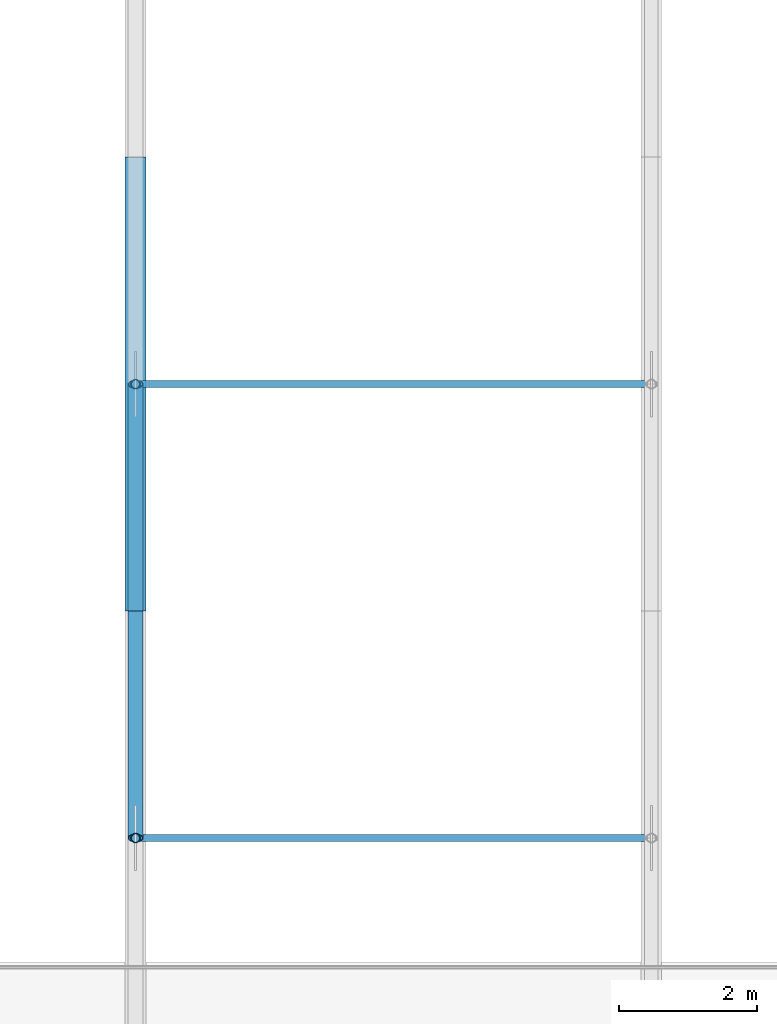
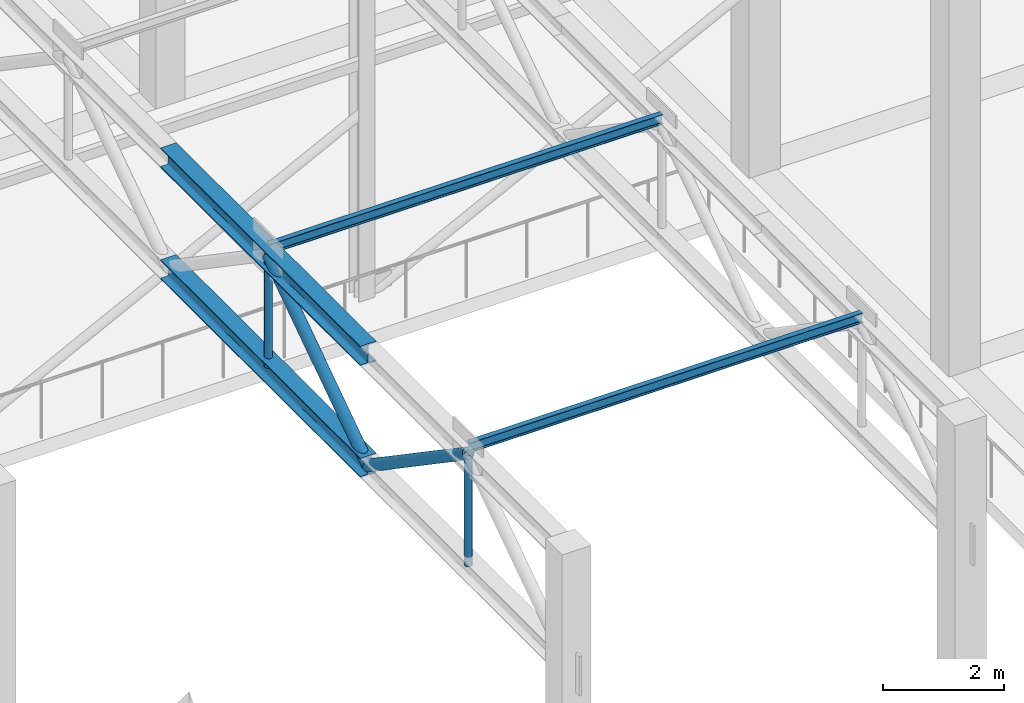
# One storey, part 30 of 80: 8 members.
"""IFC4 building model written with IfcOpenShell, lengths in metres."""

import ifcopenshell
import ifcopenshell.guid

model = None  # the IFC model being written
_history = None  # IfcOwnerHistory: only IFC2X3 demands one
_inside = {}  # id of a spatial element -> (the spatial element, [elements in it])
_under = {}  # id of a project, library or spatial element -> (it, [spatial elements below it])
_declared = {}  # id of a project -> (the project, [libraries it declares])
_typed = {}  # id of a type object -> (the type object, [elements of that type])
_made_of = {}  # id of a material, layer set ... -> (it, [elements and type objects made of it])


def new_model(schema):
    """Start an empty IFC model of exactly this schema.

    Asked for "IFC4X3", IfcOpenShell would pick the latest addendum, in which some entities
    have other attributes; the version numbers below select the first issue.
    IFC2X3 requires an IfcOwnerHistory on every rooted entity: one is made here for all.
    """
    global model, _history
    if schema == "IFC4X3":
        model = ifcopenshell.file(schema_version=(4, 3, 0, 0))
    else:
        model = ifcopenshell.file(schema=schema)
    _inside.clear()
    _under.clear()
    _declared.clear()
    _typed.clear()
    _made_of.clear()
    _history = None
    if model.schema == "IFC2X3":
        org = make("IfcOrganization", Name="unknown")
        user = make(
            "IfcPersonAndOrganization",
            ThePerson=make("IfcPerson", FamilyName="unknown"),
            TheOrganization=org,
        )
        app = make(
            "IfcApplication",
            ApplicationDeveloper=org,
            Version="unknown",
            ApplicationFullName="unknown",
            ApplicationIdentifier="unknown",
        )
        _history = make(
            "IfcOwnerHistory",
            OwningUser=user,
            OwningApplication=app,
            ChangeAction="ADDED",
            CreationDate=0,
        )
    return model


def make(cls, **values):
    """One entity of the class cls with the attributes given. An attribute that is None is left unset."""
    return model.create_entity(
        cls, **{name: value for name, value in values.items() if value is not None}
    )


def rooted(cls, **values):
    """An entity with a GlobalId (a new one), such as an element, a storey or a relation."""
    return make(cls, GlobalId=ifcopenshell.guid.new(), OwnerHistory=_history, **values)


def si_unit(unit_type, name, prefix=None):
    """IfcSIUnit, for example si_unit("LENGTHUNIT", "METRE", prefix="MILLI")."""
    return make("IfcSIUnit", UnitType=unit_type, Prefix=prefix, Name=name)


def assignment(units):
    """IfcUnitAssignment: the units of a project."""
    return None if units is None else make("IfcUnitAssignment", Units=units)


def point(xyz):
    """IfcCartesianPoint."""
    return None if xyz is None else make("IfcCartesianPoint", Coordinates=xyz)


def direction(xyz):
    """IfcDirection."""
    return None if xyz is None else make("IfcDirection", DirectionRatios=xyz)


def frame(location, z_axis=None, x_axis=None):
    """IfcAxis2Placement3D, a coordinate frame: its origin and axes. An axis left out is left unset."""
    return make(
        "IfcAxis2Placement3D",
        Location=point(location),
        Axis=direction(z_axis),
        RefDirection=direction(x_axis),
    )


def frame_2d(location, x_axis=None):
    """IfcAxis2Placement2D, a coordinate frame in the plane: its origin and x axis."""
    return make(
        "IfcAxis2Placement2D", Location=point(location), RefDirection=direction(x_axis)
    )


def origin():
    """The frame at (0, 0, 0) with its axes left unset."""
    return frame((0.0, 0.0, 0.0))


def origin_2d():
    """The frame at (0, 0) in the plane with its x axis left unset."""
    return frame_2d((0.0, 0.0))


def place(relative_to, where):
    """IfcLocalPlacement: puts the frame where relative to a parent placement (None: the world)."""
    return make(
        "IfcLocalPlacement", PlacementRelTo=relative_to, RelativePlacement=where
    )


def context(
    kind, dimensions, precision=None, world=None, true_north=None, identifier=None
):
    """IfcGeometricRepresentationContext, for example the 3D "Model" context."""
    return make(
        "IfcGeometricRepresentationContext",
        ContextIdentifier=identifier,
        ContextType=kind,
        CoordinateSpaceDimension=dimensions,
        Precision=precision,
        WorldCoordinateSystem=world,
        TrueNorth=true_north,
    )


def subcontext(parent, identifier, kind, view, scale=None):
    """IfcGeometricRepresentationSubContext, for example "Body" below "Model"."""
    return make(
        "IfcGeometricRepresentationSubContext",
        ContextIdentifier=identifier,
        ContextType=kind,
        ParentContext=parent,
        TargetScale=scale,
        TargetView=view,
    )


def project(units=None, contexts=None):
    """IfcProject with its units and contexts."""
    return rooted(
        "IfcProject",
        Name="project",
        RepresentationContexts=contexts,
        UnitsInContext=assignment(units),
    )


def spatial(cls, under=None, at=None, **own):
    """A site, building, storey or space (cls), placed at a placement, below another one or the project."""
    s = rooted(cls, ObjectPlacement=at, **own)
    if under is not None:
        _under.setdefault(under.id(), (under, []))[1].append(s)
    return s


def profile(cls, at=None, kind="AREA", **sizes):
    """A parametric profile (cls). Its sizes go by their IFC names, for example OverallWidth=200.0."""
    return make(cls, ProfileType=kind, Position=at, **sizes)


def hollow_circle(**sizes):
    """IfcCircleHollowProfileDef."""
    return profile("IfcCircleHollowProfileDef", **sizes)


def i_section(**sizes):
    """IfcIShapeProfileDef."""
    return profile("IfcIShapeProfileDef", **sizes)


def extrude(swept, where, along, depth):
    """IfcExtrudedAreaSolid: the profile swept, set in the frame where, extruded along a direction by depth."""
    return make(
        "IfcExtrudedAreaSolid",
        SweptArea=swept,
        Position=where,
        ExtrudedDirection=direction(along),
        Depth=depth,
    )


def shape(context_of_items, identifier, shape_type, items):
    """IfcShapeRepresentation: the items that make up one representation, for example the "Body"."""
    return make(
        "IfcShapeRepresentation",
        ContextOfItems=context_of_items,
        RepresentationIdentifier=identifier,
        RepresentationType=shape_type,
        Items=items,
    )


def material(Name=None, Category=None):
    """IfcMaterial."""
    return make("IfcMaterial", Name=Name, Category=Category)


def material_profile(
    of_material, cross_section, Name=None, Category=None, Priority=None
):
    """IfcMaterialProfile: a cross section and its material."""
    return make(
        "IfcMaterialProfile",
        Name=Name,
        Material=of_material,
        Profile=cross_section,
        Priority=Priority,
        Category=Category,
    )


def profile_set(profiles, Name=None, composite=None):
    """IfcMaterialProfileSet."""
    return make(
        "IfcMaterialProfileSet",
        Name=Name,
        MaterialProfiles=profiles,
        CompositeProfile=composite,
    )


def made_of(thing, what):
    """Note that an element or type object is made of a material, layer set ...; save() writes the relation."""
    if what is not None:
        _made_of.setdefault(what.id(), (what, []))[1].append(thing)
    return thing


def type_object(cls, material=None, **own):
    """A type object (cls), such as IfcWallType, which elements share."""
    return made_of(rooted(cls, **own), material)


def element(
    cls,
    number,
    at=None,
    inside=None,
    cuts=None,
    type_object=None,
    material=None,
    context=None,
    identifier="Body",
    shape_type=None,
    held_by="IfcProductDefinitionShape",
    body=None,
    shapes=None,
    **own,
):
    """One element of the class cls, such as IfcWall. Its Tag is "e" and its number.

    at: its placement. inside: the storey or other place that contains it. cuts: it is an
    opening in that element (IfcRelVoidsElement). A single representation is given by context,
    identifier, shape_type and body (its items); several are given by shapes. held_by: the class
    of the entity that holds the representations. save() writes the other relations.
    """
    e = rooted(cls, Tag="e%d" % number, ObjectPlacement=at, **own)
    if body is not None:
        shapes = [shape(context, identifier, shape_type, body)]
    if shapes is not None:
        e.Representation = make(held_by, Representations=shapes)
    if inside is not None:
        _inside.setdefault(inside.id(), (inside, []))[1].append(e)
    if cuts is not None:
        rooted(
            "IfcRelVoidsElement", RelatingBuildingElement=cuts, RelatedOpeningElement=e
        )
    if type_object is not None:
        _typed.setdefault(type_object.id(), (type_object, []))[1].append(e)
    return made_of(e, material)


def aggregate(whole, parts):
    """IfcRelAggregates: a whole, such as a stair, and the parts it consists of."""
    return rooted("IfcRelAggregates", RelatingObject=whole, RelatedObjects=parts)


def save(model, path):
    """Write the relations noted so far, then the file.

    IfcRelAggregates (storeys below a building ...), IfcRelContainedInSpatialStructure (elements
    in a storey), IfcRelDefinesByType, IfcRelAssociatesMaterial and IfcRelDeclares: one each for
    every whole, place, type object, material and project.
    """
    for whole, parts in _under.values():
        aggregate(whole, parts)
    for where, things in _inside.values():
        rooted(
            "IfcRelContainedInSpatialStructure",
            RelatedElements=things,
            RelatingStructure=where,
        )
    for kind, things in _typed.values():
        rooted("IfcRelDefinesByType", RelatedObjects=things, RelatingType=kind)
    for what, things in _made_of.values():
        rooted("IfcRelAssociatesMaterial", RelatedObjects=things, RelatingMaterial=what)
    for by, libraries in _declared.values():
        rooted("IfcRelDeclares", RelatingContext=by, RelatedDefinitions=libraries)
    model.write(path)


model = new_model("IFC4")

# Units and contexts
model_context = context("Model", 3, precision=1e-05, world=origin(), true_north=direction((0.0, 1.0)))
body_context = subcontext(model_context, "Body", "Model", "MODEL_VIEW")
ifc_project = project(units=[si_unit("LENGTHUNIT", "METRE"), si_unit("AREAUNIT", "SQUARE_METRE"), si_unit("VOLUMEUNIT", "CUBIC_METRE"), si_unit("PLANEANGLEUNIT", "RADIAN"), si_unit("MASSUNIT", "GRAM", prefix="KILO")], contexts=[model_context])

# Site, building, storey
site_placement = place(None, origin())
site = spatial("IfcSite", under=ifc_project, at=site_placement, CompositionType="ELEMENT")
building_placement = place(site_placement, origin())
building = spatial("IfcBuilding", under=site, at=building_placement, Name="Akrevak Sports Hall", CompositionType="ELEMENT")
storey_placement = place(building_placement, frame((0.0, 0.0, 14.0)))
storey = spatial("IfcBuildingStorey", under=building, at=storey_placement, Name="L03", CompositionType="ELEMENT", Elevation=14.0)

# Members
ifc_material = material(Name="Steel S355", Category="steel")
ifc_material_profile_1 = material_profile(ifc_material, hollow_circle(Radius=0.06982421875, WallThickness=0.008056640625, at=origin_2d()), Name="CHS 139.7x8", Category="steel")
ifc_profile_set_1 = profile_set([ifc_material_profile_1], Name="Steel S355")
member_type_1 = type_object("IfcMemberType", Name="STR-MEM-BRACE-CHS139", PredefinedType="BRACE", material=ifc_profile_set_1)
for number, where, z_axis, x_axis, name in (
    (1, (123.0, 32.10009765625, 7.18994140625), (0.0, 0.0, 1.0), (1.0, 0.0, 0.0), "Roof Truss 3 Web Post 1"),
    (2, (123.0, 38.699951171875, 7.18994140625), (0.0, 0.0, 1.0), (1.0, 0.0, 0.0), "Roof Truss 3 Web Post 2"),
):
    element("IfcMember", number, at=place(storey_placement, frame(where, z_axis=z_axis, x_axis=x_axis)), inside=storey, type_object=member_type_1, Name=name, PredefinedType="BRACE", context=body_context, shape_type="SweptSolid", body=[
        extrude(hollow_circle(Radius=0.06982421875, WallThickness=0.008056640625, at=origin_2d()), origin(), (0.0, 0.0, 1.0), 2.25),
    ])
ifc_material_profile_2 = material_profile(ifc_material, hollow_circle(Radius=0.109619140625, WallThickness=0.010009765625, at=origin_2d()), Name="CHS 219.1x10", Category="steel")
ifc_profile_set_2 = profile_set([ifc_material_profile_2], Name="Steel S355")
member_type_2 = type_object("IfcMemberType", Name="STR-MEM-BRACE-CHS219", PredefinedType="BRACE", material=ifc_profile_set_2)
member_1_placement = place(storey_placement, frame((123.0, 32.10009765625, 9.43994140625), z_axis=(0.0, 0.826211823288, -0.56335958593), x_axis=(-1.0, 0.0, 0.0)))
element("IfcMember", 3, at=member_1_placement, inside=storey, type_object=member_type_2, Name="Roof Truss 3 Web Diagonal 1B", PredefinedType="BRACE", context=body_context, shape_type="SweptSolid", body=[
    extrude(hollow_circle(Radius=0.109619140625, WallThickness=0.010009765625, at=origin_2d()), origin(), (0.0, 0.0, 1.0), 3.993896484375),
])
member_2_placement = place(storey_placement, frame((123.0, 35.39990234375, 7.18994140625), z_axis=(0.0, 0.826231222393, 0.56333113454), x_axis=(-1.0, 0.0, 0.0)))
element("IfcMember", 4, at=member_2_placement, inside=storey, type_object=member_type_2, Name="Roof Truss 3 Web Diagonal 2A", PredefinedType="BRACE", context=body_context, shape_type="SweptSolid", body=[
    extrude(hollow_circle(Radius=0.109619140625, WallThickness=0.010009765625, at=origin_2d()), origin(), (0.0, 0.0, 1.0), 3.994140625),
])
ifc_material_profile_3 = material_profile(ifc_material, i_section(OverallWidth=0.300048828125, OverallDepth=0.389892578125, WebThickness=0.010986328125, FlangeThickness=0.01904296875, FilletRadius=0.027099609375, at=origin_2d()), Name="HEA 400", Category="steel")
ifc_profile_set_3 = profile_set([ifc_material_profile_3], Name="Steel S355")
member_type_3 = type_object("IfcMemberType", Name="STR-MEM-CHORD-HEA400", PredefinedType="CHORD", material=ifc_profile_set_3)
member_3_placement = place(storey_placement, frame((123.0, 35.39990234375, 7.18994140625), z_axis=(0.0, 1.0, 0.0), x_axis=(-1.0, 0.0, 0.0)))
element("IfcMember", 5, at=member_3_placement, inside=storey, type_object=member_type_3, Name="Roof Truss 3 Bottom Chord 2", PredefinedType="CHORD", context=body_context, shape_type="SweptSolid", body=[
    extrude(i_section(OverallWidth=0.300048828125, OverallDepth=0.389892578125, WebThickness=0.010986328125, FlangeThickness=0.01904296875, FilletRadius=0.027099609375, at=origin_2d()), origin(), (0.0, 0.0, 1.0), 6.60009765625),
])
ifc_material_profile_4 = material_profile(ifc_material, i_section(OverallWidth=0.300048828125, OverallDepth=0.39990234375, WebThickness=0.013427734375, FlangeThickness=0.02392578125, FilletRadius=0.027099609375, at=origin_2d()), Name="HEB 400", Category="steel")
ifc_profile_set_4 = profile_set([ifc_material_profile_4], Name="Steel S355")
member_type_4 = type_object("IfcMemberType", Name="STR-MEM-CHORD-HEB400", PredefinedType="CHORD", material=ifc_profile_set_4)
member_4_placement = place(storey_placement, frame((123.0, 35.39990234375, 9.43994140625), z_axis=(0.0, 1.0, 0.0), x_axis=(-1.0, 0.0, 0.0)))
element("IfcMember", 6, at=member_4_placement, inside=storey, type_object=member_type_4, Name="Roof Truss 3 Top Chord 2", PredefinedType="CHORD", context=body_context, shape_type="SweptSolid", body=[
    extrude(i_section(OverallWidth=0.300048828125, OverallDepth=0.39990234375, WebThickness=0.013427734375, FlangeThickness=0.02392578125, FilletRadius=0.027099609375, at=origin_2d()), origin(), (0.0, 0.0, 1.0), 6.60009765625),
])
ifc_material_profile_5 = material_profile(ifc_material, i_section(OverallWidth=0.10009765625, OverallDepth=0.199951171875, WebThickness=0.005615234375, FlangeThickness=0.008544921875, FilletRadius=0.011962890625, at=origin_2d()), Name="IPE 200", Category="steel")
ifc_profile_set_5 = profile_set([ifc_material_profile_5], Name="Steel S355")
member_type_5 = type_object("IfcMemberType", Name="STR-MEM-PUR-IPE200", PredefinedType="PURLIN", material=ifc_profile_set_5)
for number, where, z_axis, x_axis, name in (
    (7, (123.0, 32.10009765625, 9.570068359375), (1.0, 0.0, 0.0), (0.0, 1.0, 0.0), "Roof Steel Purlin PR-2.1"),
    (8, (123.0, 38.699951171875, 9.570068359375), (1.0, 0.0, 0.0), (0.0, 1.0, 0.0), "Roof Steel Purlin PR-2.2"),
):
    element("IfcMember", number, at=place(storey_placement, frame(where, z_axis=z_axis, x_axis=x_axis)), inside=storey, type_object=member_type_5, Name=name, PredefinedType="PURLIN", context=body_context, shape_type="SweptSolid", body=[
        extrude(i_section(OverallWidth=0.10009765625, OverallDepth=0.199951171875, WebThickness=0.005615234375, FlangeThickness=0.008544921875, FilletRadius=0.011962890625, at=origin_2d()), origin(), (0.0, 0.0, 1.0), 7.5),
    ])

save(model, "model.ifc")
